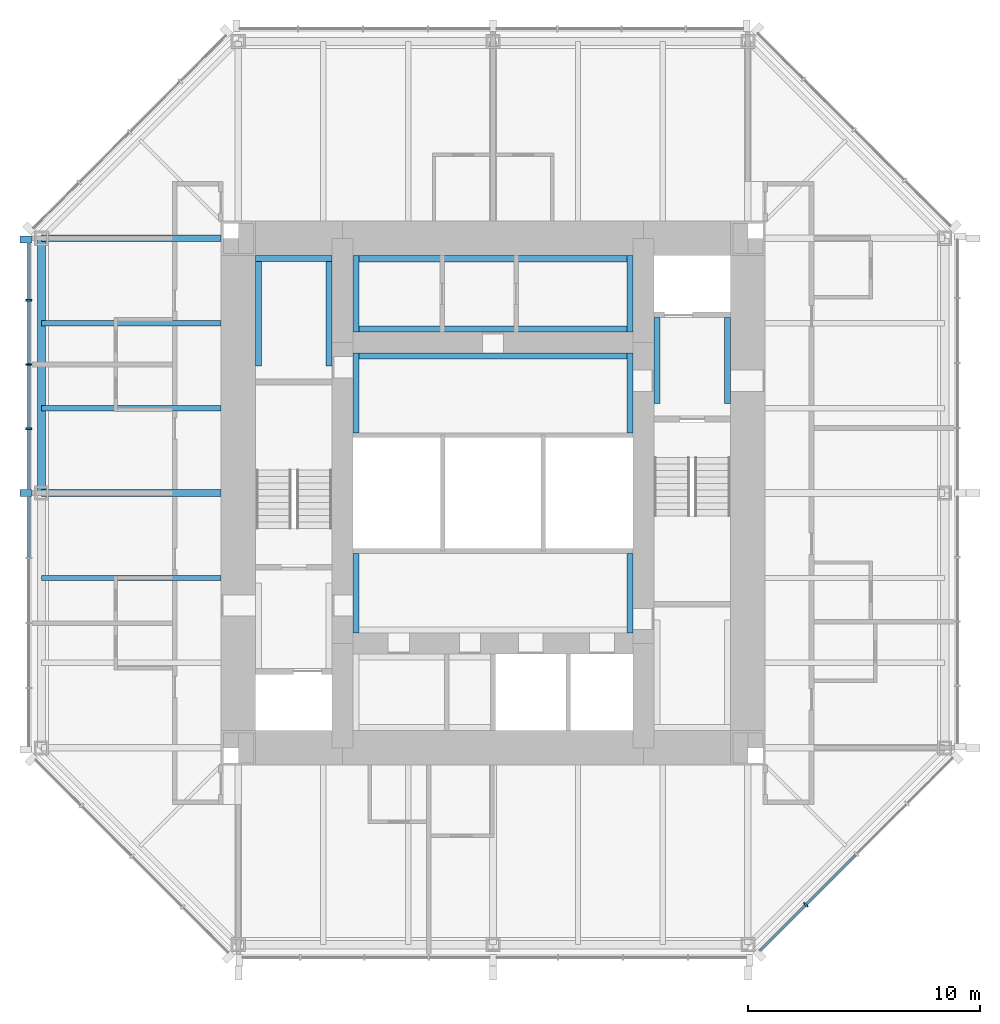
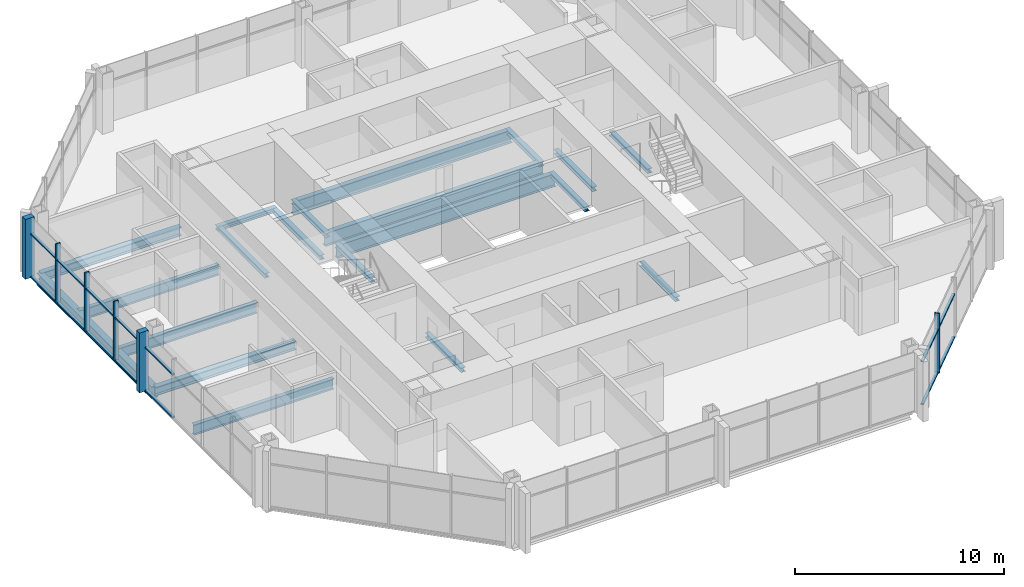
# One storey, part 3 of 11: 20 beams, 20 members, 2 elements without a shape of their own.
"""IFC4 building model written with IfcOpenShell, lengths in metres."""

from ifc_helpers import new_model, si_unit, direction, frame, origin, origin_2d, place, context, subcontext, project, spatial, rectangle, i_section, extrude, material, material_profile, profile_set, type_object, element, aggregate, save


model = new_model("IFC4")

# Units and contexts
model_context = context("Model", 3, precision=1e-05, world=origin(), true_north=direction((0.0, 1.0)))
body_context = subcontext(model_context, "Body", "Model", "MODEL_VIEW")
ifc_project = project(units=[si_unit("LENGTHUNIT", "METRE"), si_unit("AREAUNIT", "SQUARE_METRE"), si_unit("VOLUMEUNIT", "CUBIC_METRE"), si_unit("PLANEANGLEUNIT", "RADIAN"), si_unit("MASSUNIT", "GRAM", prefix="KILO")], contexts=[model_context])

# Site, building, storey
site_placement = place(None, origin())
site = spatial("IfcSite", under=ifc_project, at=site_placement, CompositionType="ELEMENT")
building_placement = place(site_placement, origin())
building = spatial("IfcBuilding", under=site, at=building_placement, Name="Trevanion Tower", CompositionType="ELEMENT")
storey_placement = place(building_placement, frame((0.0, 0.0, 225.699951171875)))
storey = spatial("IfcBuildingStorey", under=building, at=storey_placement, Name="L54", CompositionType="ELEMENT", Elevation=225.699951171875)

# Beams
ifc_material_1 = material(Name="Steel ASTM A992 Grade 50", Category="steel")
ifc_material_profile_1 = material_profile(ifc_material_1, i_section(OverallWidth=0.228271484375, OverallDepth=0.607177734375, WebThickness=0.01123046875, FlangeThickness=0.017333984375, at=origin_2d()), Name="W24X76")
ifc_profile_set_1 = profile_set([ifc_material_profile_1], Name="Steel ASTM A992 Grade 50")
beam_type_1 = type_object("IfcBeamType", Name="B11 W24X76", PredefinedType="BEAM", material=ifc_profile_set_1)
for number, where, z_axis, x_axis, name in (
    (1, (-11.75, 7.333251953125, -0.493408203125), (-1.0, 0.0, 0.0), (0.0, -1.0, 0.0), "B11 L54"),
    (2, (-11.75, 3.666748046875, -0.493408203125), (-1.0, 0.0, 0.0), (0.0, -1.0, 0.0), "B11 L54"),
    (3, (-11.75, -3.666748046875, -0.493408203125), (-1.0, 0.0, 0.0), (0.0, -1.0, 0.0), "B11 L54"),
):
    element("IfcBeam", number, at=place(storey_placement, frame(where, z_axis=z_axis, x_axis=x_axis)), inside=storey, type_object=beam_type_1, Name=name, PredefinedType="BEAM", context=body_context, shape_type="SweptSolid", body=[
        extrude(i_section(OverallWidth=0.228271484375, OverallDepth=0.607177734375, WebThickness=0.01123046875, FlangeThickness=0.017333984375, at=origin_2d()), origin(), (0.0, 0.0, 1.0), 7.75),
    ])

# Curtain wall, members
ifc_material_2 = material(Name="Aluminium and glass", Category="aluminium")
curtain_wall_type = type_object("IfcCurtainWallType", Name="CW3 curtain wall", PredefinedType="USERDEFINED", material=ifc_material_2)
curtain_wall_1_placement = place(storey_placement, origin())
curtain_wall_1 = element("IfcCurtainWall", 4, at=curtain_wall_1_placement, inside=storey, type_object=curtain_wall_type, Name="CW3 L54 4", ObjectType="UNITISED CURTAIN WALL", PredefinedType="USERDEFINED")
ifc_material_3 = material(Name="Aluminium extrusion, anodised bronze", Category="aluminium")
ifc_material_profile_2 = material_profile(ifc_material_3, rectangle(XDim=0.074951171875, YDim=0.25, at=origin_2d()), Name="CW3 mullion")
ifc_profile_set_2 = profile_set([ifc_material_profile_2], Name="Aluminium extrusion, anodised bronze")
member_type_1 = type_object("IfcMemberType", Name="CW3 mullion", PredefinedType="MULLION", material=ifc_profile_set_2)
member_1_placement = place(storey_placement, frame((-20.050048828125, 8.323486328125, -0.18994140625), z_axis=(0.0, 0.0, 1.0), x_axis=(0.0, -1.0, 0.0)))
member_1 = element("IfcMember", 5, at=member_1_placement, type_object=member_type_1, Name="CW3 mullion 2", PredefinedType="MULLION", context=body_context, shape_type="SweptSolid", body=[
    extrude(rectangle(XDim=0.074951171875, YDim=0.25, at=origin_2d()), origin(), (0.0, 0.0, 1.0), 3.5),
])
member_2_placement = place(storey_placement, frame((-20.050048828125, 5.548828125, -0.18994140625), z_axis=(0.0, 0.0, 1.0), x_axis=(0.0, -1.0, 0.0)))
member_2 = element("IfcMember", 6, at=member_2_placement, type_object=member_type_1, Name="CW3 mullion 3", PredefinedType="MULLION", context=body_context, shape_type="SweptSolid", body=[
    extrude(rectangle(XDim=0.074951171875, YDim=0.25, at=origin_2d()), origin(), (0.0, 0.0, 1.0), 3.5),
])
member_3_placement = place(storey_placement, frame((-20.050048828125, 2.7744140625, -0.18994140625), z_axis=(0.0, 0.0, 1.0), x_axis=(0.0, -1.0, 0.0)))
member_3 = element("IfcMember", 7, at=member_3_placement, type_object=member_type_1, Name="CW3 mullion 4", PredefinedType="MULLION", context=body_context, shape_type="SweptSolid", body=[
    extrude(rectangle(XDim=0.074951171875, YDim=0.25, at=origin_2d()), origin(), (0.0, 0.0, 1.0), 3.5),
])

# Curtain wall, member
curtain_wall_2_placement = place(storey_placement, origin())
curtain_wall_2 = element("IfcCurtainWall", 8, at=curtain_wall_2_placement, inside=storey, type_object=curtain_wall_type, Name="CW3 L54 7", ObjectType="UNITISED CURTAIN WALL", PredefinedType="USERDEFINED")
member_4_placement = place(storey_placement, frame((13.502197265625, -17.775390625, -0.18994140625), z_axis=(0.0, 0.0, 1.0), x_axis=(0.707106781187, 0.707106781187, 0.0)))
member_4 = element("IfcMember", 9, at=member_4_placement, type_object=member_type_1, Name="CW3 mullion 2", PredefinedType="MULLION", context=body_context, shape_type="SweptSolid", body=[
    extrude(rectangle(XDim=0.074951171875, YDim=0.25, at=origin_2d()), origin(), (0.0, 0.0, 1.0), 3.5),
])

# Member
ifc_material_4 = material(Name="Aluminium extrusion, anodised bronze", Category="aluminium")
ifc_material_profile_3 = material_profile(ifc_material_4, rectangle(XDim=0.300048828125, YDim=0.5, at=origin_2d()), Name="CW3 pier mullion")
ifc_profile_set_3 = profile_set([ifc_material_profile_3], Name="Aluminium extrusion, anodised bronze")
member_type_2 = type_object("IfcMemberType", Name="CW3 pier mullion", PredefinedType="MULLION", material=ifc_profile_set_3)
member_5_placement = place(storey_placement, frame((-20.175048828125, 10.94775390625, -0.18994140625), z_axis=(0.0, 0.0, 1.0), x_axis=(0.0, -1.0, 0.0)))
member_5 = element("IfcMember", 10, at=member_5_placement, type_object=member_type_2, Name="CW3 pier mullion 1", PredefinedType="MULLION", context=body_context, shape_type="SweptSolid", body=[
    extrude(rectangle(XDim=0.300048828125, YDim=0.5, at=origin_2d()), origin(), (0.0, 0.0, 1.0), 3.5),
])

member_6_placement = place(storey_placement, frame((-20.175048828125, 0.0, -0.18994140625), z_axis=(0.0, 0.0, 1.0), x_axis=(0.0, -1.0, 0.0)))
member_6 = element("IfcMember", 11, at=member_6_placement, type_object=member_type_2, Name="CW3 pier mullion 5", PredefinedType="MULLION", context=body_context, shape_type="SweptSolid", body=[
    extrude(rectangle(XDim=0.300048828125, YDim=0.5, at=origin_2d()), origin(), (0.0, 0.0, 1.0), 3.5),
])

ifc_material_5 = material(Name="Aluminium extrusion, anodised bronze", Category="aluminium")
ifc_material_profile_4 = material_profile(ifc_material_5, rectangle(XDim=0.14990234375, YDim=0.074951171875, at=origin_2d()), Name="CW3 transom")
ifc_profile_set_4 = profile_set([ifc_material_profile_4], Name="Aluminium extrusion, anodised bronze")
member_type_3 = type_object("IfcMemberType", Name="CW3 transom", PredefinedType="USERDEFINED", material=ifc_profile_set_4)
member_7_placement = place(storey_placement, frame((-20.050048828125, 10.7978515625, -0.15234375), z_axis=(0.0, -1.0, 0.0), x_axis=(1.0, 0.0, 0.0)))
member_7 = element("IfcMember", 12, at=member_7_placement, type_object=member_type_3, Name="CW3 transom 1.1", ObjectType="TRANSOM", PredefinedType="USERDEFINED", context=body_context, shape_type="SweptSolid", body=[
    extrude(rectangle(XDim=0.14990234375, YDim=0.074951171875, at=origin_2d()), origin(), (0.0, 0.0, 1.0), 2.43701171875),
])

member_8_placement = place(storey_placement, frame((-20.050048828125, 10.7978515625, 2.360107421875), z_axis=(0.0, -1.0, 0.0), x_axis=(1.0, 0.0, 0.0)))
member_8 = element("IfcMember", 13, at=member_8_placement, type_object=member_type_3, Name="CW3 transom 1.2", ObjectType="TRANSOM", PredefinedType="USERDEFINED", context=body_context, shape_type="SweptSolid", body=[
    extrude(rectangle(XDim=0.14990234375, YDim=0.074951171875, at=origin_2d()), origin(), (0.0, 0.0, 1.0), 2.43701171875),
])

member_9_placement = place(storey_placement, frame((-20.050048828125, 8.285888671875, -0.15234375), z_axis=(0.0, -1.0, 0.0), x_axis=(1.0, 0.0, 0.0)))
member_9 = element("IfcMember", 14, at=member_9_placement, type_object=member_type_3, Name="CW3 transom 2.1", ObjectType="TRANSOM", PredefinedType="USERDEFINED", context=body_context, shape_type="SweptSolid", body=[
    extrude(rectangle(XDim=0.14990234375, YDim=0.074951171875, at=origin_2d()), origin(), (0.0, 0.0, 1.0), 2.699462890625),
])

member_10_placement = place(storey_placement, frame((-20.050048828125, 8.285888671875, 2.360107421875), z_axis=(0.0, -1.0, 0.0), x_axis=(1.0, 0.0, 0.0)))
member_10 = element("IfcMember", 15, at=member_10_placement, type_object=member_type_3, Name="CW3 transom 2.2", ObjectType="TRANSOM", PredefinedType="USERDEFINED", context=body_context, shape_type="SweptSolid", body=[
    extrude(rectangle(XDim=0.14990234375, YDim=0.074951171875, at=origin_2d()), origin(), (0.0, 0.0, 1.0), 2.699462890625),
])

member_11_placement = place(storey_placement, frame((-20.050048828125, 5.511474609375, -0.15234375), z_axis=(0.0, -1.0, 0.0), x_axis=(1.0, 0.0, 0.0)))
member_11 = element("IfcMember", 16, at=member_11_placement, type_object=member_type_3, Name="CW3 transom 3.1", ObjectType="TRANSOM", PredefinedType="USERDEFINED", context=body_context, shape_type="SweptSolid", body=[
    extrude(rectangle(XDim=0.14990234375, YDim=0.074951171875, at=origin_2d()), origin(), (0.0, 0.0, 1.0), 2.699462890625),
])

member_12_placement = place(storey_placement, frame((-20.050048828125, 5.511474609375, 2.360107421875), z_axis=(0.0, -1.0, 0.0), x_axis=(1.0, 0.0, 0.0)))
member_12 = element("IfcMember", 17, at=member_12_placement, type_object=member_type_3, Name="CW3 transom 3.2", ObjectType="TRANSOM", PredefinedType="USERDEFINED", context=body_context, shape_type="SweptSolid", body=[
    extrude(rectangle(XDim=0.14990234375, YDim=0.074951171875, at=origin_2d()), origin(), (0.0, 0.0, 1.0), 2.699462890625),
])

member_13_placement = place(storey_placement, frame((-20.050048828125, 2.737060546875, -0.15234375), z_axis=(0.0, -1.0, 0.0), x_axis=(1.0, 0.0, 0.0)))
member_13 = element("IfcMember", 18, at=member_13_placement, type_object=member_type_3, Name="CW3 transom 4.1", ObjectType="TRANSOM", PredefinedType="USERDEFINED", context=body_context, shape_type="SweptSolid", body=[
    extrude(rectangle(XDim=0.14990234375, YDim=0.074951171875, at=origin_2d()), origin(), (0.0, 0.0, 1.0), 2.587158203125),
])

member_14_placement = place(storey_placement, frame((-20.050048828125, 2.737060546875, 2.360107421875), z_axis=(0.0, -1.0, 0.0), x_axis=(1.0, 0.0, 0.0)))
member_14 = element("IfcMember", 19, at=member_14_placement, type_object=member_type_3, Name="CW3 transom 4.2", ObjectType="TRANSOM", PredefinedType="USERDEFINED", context=body_context, shape_type="SweptSolid", body=[
    extrude(rectangle(XDim=0.14990234375, YDim=0.074951171875, at=origin_2d()), origin(), (0.0, 0.0, 1.0), 2.587158203125),
])

member_15_placement = place(storey_placement, frame((-20.050048828125, -0.14990234375, -0.15234375), z_axis=(0.0, -1.0, 0.0), x_axis=(1.0, 0.0, 0.0)))
member_15 = element("IfcMember", 20, at=member_15_placement, type_object=member_type_3, Name="CW3 transom 5.1", ObjectType="TRANSOM", PredefinedType="USERDEFINED", context=body_context, shape_type="SweptSolid", body=[
    extrude(rectangle(XDim=0.14990234375, YDim=0.074951171875, at=origin_2d()), origin(), (0.0, 0.0, 1.0), 2.619384765625),
])

member_16_placement = place(storey_placement, frame((-20.050048828125, -0.14990234375, 2.360107421875), z_axis=(0.0, -1.0, 0.0), x_axis=(1.0, 0.0, 0.0)))
member_16 = element("IfcMember", 21, at=member_16_placement, type_object=member_type_3, Name="CW3 transom 5.2", ObjectType="TRANSOM", PredefinedType="USERDEFINED", context=body_context, shape_type="SweptSolid", body=[
    extrude(rectangle(XDim=0.14990234375, YDim=0.074951171875, at=origin_2d()), origin(), (0.0, 0.0, 1.0), 2.619384765625),
])

aggregate(curtain_wall_1, [member_5, member_1, member_2, member_3, member_6, member_7, member_8, member_9, member_10, member_11, member_12, member_13, member_14, member_15, member_16])

member_17_placement = place(storey_placement, frame((11.531982421875, -19.745849609375, -0.15234375), z_axis=(0.707106781187, 0.707106781187, 0.0), x_axis=(-0.707106781187, 0.707106781187, 0.0)))
member_17 = element("IfcMember", 22, at=member_17_placement, type_object=member_type_3, Name="CW3 transom 1.1", ObjectType="TRANSOM", PredefinedType="USERDEFINED", context=body_context, shape_type="SweptSolid", body=[
    extrude(rectangle(XDim=0.14990234375, YDim=0.074951171875, at=origin_2d()), origin(), (0.0, 0.0, 1.0), 2.7490234375),
])

member_18_placement = place(storey_placement, frame((11.531982421875, -19.745849609375, 2.360107421875), z_axis=(0.707106781187, 0.707106781187, 0.0), x_axis=(-0.707106781187, 0.707106781187, 0.0)))
member_18 = element("IfcMember", 23, at=member_18_placement, type_object=member_type_3, Name="CW3 transom 1.2", ObjectType="TRANSOM", PredefinedType="USERDEFINED", context=body_context, shape_type="SweptSolid", body=[
    extrude(rectangle(XDim=0.14990234375, YDim=0.074951171875, at=origin_2d()), origin(), (0.0, 0.0, 1.0), 2.7490234375),
])

member_19_placement = place(storey_placement, frame((13.52880859375, -17.7490234375, -0.15234375), z_axis=(0.707106781187, 0.707106781187, 0.0), x_axis=(-0.707106781187, 0.707106781187, 0.0)))
member_19 = element("IfcMember", 24, at=member_19_placement, type_object=member_type_3, Name="CW3 transom 2.1", ObjectType="TRANSOM", PredefinedType="USERDEFINED", context=body_context, shape_type="SweptSolid", body=[
    extrude(rectangle(XDim=0.14990234375, YDim=0.074951171875, at=origin_2d()), origin(), (0.0, 0.0, 1.0), 3.01171875),
])

member_20_placement = place(storey_placement, frame((13.52880859375, -17.7490234375, 2.360107421875), z_axis=(0.707106781187, 0.707106781187, 0.0), x_axis=(-0.707106781187, 0.707106781187, 0.0)))
member_20 = element("IfcMember", 25, at=member_20_placement, type_object=member_type_3, Name="CW3 transom 2.2", ObjectType="TRANSOM", PredefinedType="USERDEFINED", context=body_context, shape_type="SweptSolid", body=[
    extrude(rectangle(XDim=0.14990234375, YDim=0.074951171875, at=origin_2d()), origin(), (0.0, 0.0, 1.0), 3.01171875),
])

aggregate(curtain_wall_2, [member_4, member_17, member_18, member_19, member_20])

# Beams
ifc_material_6 = material(Name="Steel ASTM A992 Grade 50", Category="steel")
ifc_material_profile_5 = material_profile(ifc_material_6, i_section(OverallWidth=0.28955078125, OverallDepth=0.508056640625, WebThickness=0.022705078125, FlangeThickness=0.040283203125, at=origin_2d()), Name="W18X175")
ifc_profile_set_5 = profile_set([ifc_material_profile_5], Name="Steel ASTM A992 Grade 50")
beam_type_2 = type_object("IfcBeamType", Name="G6 W18X175", PredefinedType="BEAM", material=ifc_profile_set_5)
for number, where, z_axis, x_axis, name in (
    (26, (-11.75, 11.0, -0.44384765625), (-1.0, 0.0, 0.0), (0.0, -1.0, 0.0), "G6 L54"),
    (27, (-11.75, 0.0, -0.44384765625), (-1.0, 0.0, 0.0), (0.0, -1.0, 0.0), "G6 L54"),
):
    element("IfcBeam", number, at=place(storey_placement, frame(where, z_axis=z_axis, x_axis=x_axis)), inside=storey, type_object=beam_type_2, Name=name, PredefinedType="BEAM", context=body_context, shape_type="SweptSolid", body=[
        extrude(i_section(OverallWidth=0.28955078125, OverallDepth=0.508056640625, WebThickness=0.022705078125, FlangeThickness=0.040283203125, at=origin_2d()), origin(), (0.0, 0.0, 1.0), 7.75),
    ])
ifc_material_7 = material(Name="Steel ASTM A992 Grade 50", Category="steel")
ifc_material_profile_6 = material_profile(ifc_material_7, i_section(OverallWidth=0.256591796875, OverallDepth=0.26416015625, WebThickness=0.011962890625, FlangeThickness=0.01953125, at=origin_2d()), Name="W10X68")
ifc_profile_set_6 = profile_set([ifc_material_profile_6], Name="Steel ASTM A992 Grade 50")
beam_type_3 = type_object("IfcBeamType", Name="LB1 W10X68", PredefinedType="BEAM", material=ifc_profile_set_6)
for number, where, z_axis, x_axis, name in (
    (28, (-5.921630859375, 2.60009765625, -0.33203125), (0.0, 1.0, 0.0), (-1.0, 0.0, 0.0), "LB1 L54"),
    (29, (5.921630859375, 2.60009765625, -0.33203125), (0.0, 1.0, 0.0), (-1.0, 0.0, 0.0), "LB1 L54"),
    (30, (-5.921630859375, -6.050048828125, -0.33203125), (0.0, 1.0, 0.0), (-1.0, 0.0, 0.0), "LB1 L54"),
    (31, (5.921630859375, -6.050048828125, -0.33203125), (0.0, 1.0, 0.0), (-1.0, 0.0, 0.0), "LB1 L54"),
):
    element("IfcBeam", number, at=place(storey_placement, frame(where, z_axis=z_axis, x_axis=x_axis)), inside=storey, type_object=beam_type_3, Name=name, PredefinedType="BEAM", context=body_context, shape_type="SweptSolid", body=[
        extrude(i_section(OverallWidth=0.256591796875, OverallDepth=0.26416015625, WebThickness=0.011962890625, FlangeThickness=0.01953125, at=origin_2d()), origin(), (0.0, 0.0, 1.0), 3.449951171875),
    ])
for number, where, z_axis, x_axis, name in (
    (32, (7.078369140625, 3.875, -0.33203125), (0.0, 1.0, 0.0), (-1.0, 0.0, 0.0), "LB1 L54"),
    (33, (10.12158203125, 3.875, -0.33203125), (0.0, 1.0, 0.0), (-1.0, 0.0, 0.0), "LB1 L54"),
):
    element("IfcBeam", number, at=place(storey_placement, frame(where, z_axis=z_axis, x_axis=x_axis)), inside=storey, type_object=beam_type_3, Name=name, PredefinedType="BEAM", context=body_context, shape_type="SweptSolid", body=[
        extrude(i_section(OverallWidth=0.256591796875, OverallDepth=0.26416015625, WebThickness=0.011962890625, FlangeThickness=0.01953125, at=origin_2d()), origin(), (0.0, 0.0, 1.0), 3.699951171875),
    ])
for number, where, z_axis, x_axis, name in (
    (34, (-10.12158203125, 5.47509765625, -0.33203125), (0.0, 1.0, 0.0), (-1.0, 0.0, 0.0), "LB1 L54"),
    (35, (-7.078369140625, 5.47509765625, -0.33203125), (0.0, 1.0, 0.0), (-1.0, 0.0, 0.0), "LB1 L54"),
):
    element("IfcBeam", number, at=place(storey_placement, frame(where, z_axis=z_axis, x_axis=x_axis)), inside=storey, type_object=beam_type_3, Name=name, PredefinedType="BEAM", context=body_context, shape_type="SweptSolid", body=[
        extrude(i_section(OverallWidth=0.256591796875, OverallDepth=0.26416015625, WebThickness=0.011962890625, FlangeThickness=0.01953125, at=origin_2d()), origin(), (0.0, 0.0, 1.0), 4.77490234375),
    ])
for number, where, z_axis, x_axis, name in (
    (36, (-10.25, 10.12158203125, -0.33203125), (1.0, 0.0, 0.0), (0.0, 1.0, 0.0), "LB1 L54"),
    (37, (-5.921630859375, 6.949951171875, -0.33203125), (0.0, 1.0, 0.0), (-1.0, 0.0, 0.0), "LB1 L54"),
    (38, (5.921630859375, 6.949951171875, -0.33203125), (0.0, 1.0, 0.0), (-1.0, 0.0, 0.0), "LB1 L54"),
):
    element("IfcBeam", number, at=place(storey_placement, frame(where, z_axis=z_axis, x_axis=x_axis)), inside=storey, type_object=beam_type_3, Name=name, PredefinedType="BEAM", context=body_context, shape_type="SweptSolid", body=[
        extrude(i_section(OverallWidth=0.256591796875, OverallDepth=0.26416015625, WebThickness=0.011962890625, FlangeThickness=0.01953125, at=origin_2d()), origin(), (0.0, 0.0, 1.0), 3.300048828125),
    ])
ifc_material_8 = material(Name="Steel ASTM A992 Grade 50", Category="steel")
ifc_material_profile_7 = material_profile(ifc_material_8, i_section(OverallWidth=0.2666015625, OverallDepth=0.76953125, WebThickness=0.015625, FlangeThickness=0.025390625, at=origin_2d()), Name="W30X132")
ifc_profile_set_7 = profile_set([ifc_material_profile_7], Name="Steel ASTM A992 Grade 50")
beam_type_4 = type_object("IfcBeamType", Name="LB3 W30X132", PredefinedType="BEAM", material=ifc_profile_set_7)
for number, where, z_axis, x_axis, name in (
    (39, (-6.050048828125, 5.91650390625, -0.584716796875), (1.0, 0.0, 0.0), (0.0, 1.0, 0.0), "LB3 L54"),
    (40, (-6.050048828125, 7.08349609375, -0.584716796875), (1.0, 0.0, 0.0), (0.0, 1.0, 0.0), "LB3 L54"),
    (41, (-6.050048828125, 10.11669921875, -0.584716796875), (1.0, 0.0, 0.0), (0.0, 1.0, 0.0), "LB3 L54"),
):
    element("IfcBeam", number, at=place(storey_placement, frame(where, z_axis=z_axis, x_axis=x_axis)), inside=storey, type_object=beam_type_4, Name=name, PredefinedType="BEAM", context=body_context, shape_type="SweptSolid", body=[
        extrude(i_section(OverallWidth=0.2666015625, OverallDepth=0.76953125, WebThickness=0.015625, FlangeThickness=0.025390625, at=origin_2d()), origin(), (0.0, 0.0, 1.0), 12.10009765625),
    ])
ifc_material_9 = material(Name="Steel ASTM A992 Grade 50", Category="steel")
ifc_material_profile_8 = material_profile(ifc_material_9, i_section(OverallWidth=0.355712890625, OverallDepth=0.696044921875, WebThickness=0.015380859375, FlangeThickness=0.024658203125, at=origin_2d()), Name="W27X146")
ifc_profile_set_8 = profile_set([ifc_material_profile_8], Name="Steel ASTM A992 Grade 50")
beam_type_5 = type_object("IfcBeamType", Name="SB8 W27X146", PredefinedType="SPANDREL", material=ifc_profile_set_8)
beam_placement = place(storey_placement, frame((-19.5, 11.0, -0.537841796875), z_axis=(0.0, -1.0, 0.0), x_axis=(1.0, 0.0, 0.0)))
element("IfcBeam", 42, at=beam_placement, inside=storey, type_object=beam_type_5, Name="SB8 L54", PredefinedType="SPANDREL", context=body_context, shape_type="SweptSolid", body=[
    extrude(i_section(OverallWidth=0.355712890625, OverallDepth=0.696044921875, WebThickness=0.015380859375, FlangeThickness=0.024658203125, at=origin_2d()), origin(), (0.0, 0.0, 1.0), 11.0),
])

save(model, "model.ifc")
